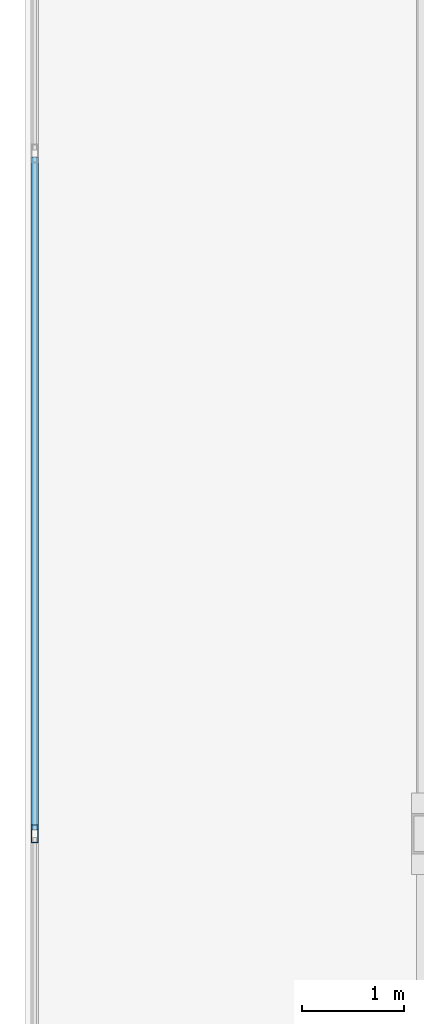
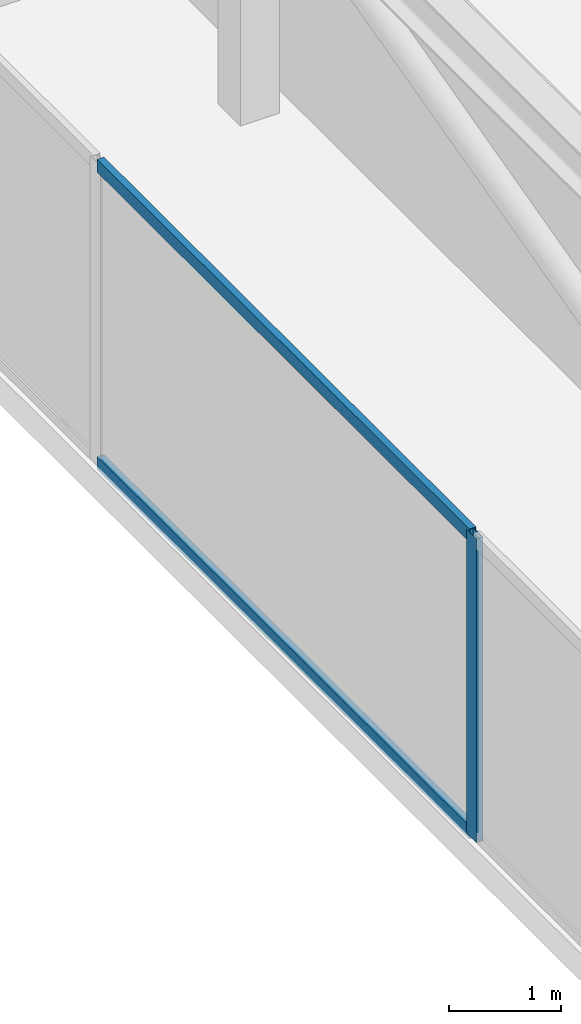
# One storey, part 7 of 16: 3 members, 1 element without a shape of its own.
"""IFC4 building model written with IfcOpenShell, lengths in metres."""

from ifc_helpers import new_model, si_unit, direction, frame, origin, origin_2d, place, context, subcontext, project, spatial, hollow_rectangle, extrude, source, transform, mapped, material, material_profile, profile_set, type_object, type_shapes, element, aggregate, save


model = new_model("IFC4")

# Units and contexts
model_context = context("Model", 3, precision=1e-05, world=origin(), true_north=direction((0.0, 1.0)))
body_context = subcontext(model_context, "Body", "Model", "MODEL_VIEW")
ifc_project = project(units=[si_unit("LENGTHUNIT", "METRE"), si_unit("AREAUNIT", "SQUARE_METRE"), si_unit("VOLUMEUNIT", "CUBIC_METRE"), si_unit("PLANEANGLEUNIT", "RADIAN"), si_unit("MASSUNIT", "GRAM", prefix="KILO")], contexts=[model_context])

# Site, building, storey
site_placement = place(None, origin())
site = spatial("IfcSite", under=ifc_project, at=site_placement, CompositionType="ELEMENT")
building_placement = place(site_placement, origin())
building = spatial("IfcBuilding", under=site, at=building_placement, Name="Krantzveldt Concourse Tower", CompositionType="ELEMENT")
storey_placement = place(building_placement, frame((0.0, 0.0, 381.85009765625)))
storey = spatial("IfcBuildingStorey", under=building, at=storey_placement, Name="L94", CompositionType="ELEMENT", Elevation=381.85009765625)

# Curtain wall, members
ifc_material = material(Name="Anodised aluminium 6063-T6", Category="aluminium")
curtain_wall_type = type_object("IfcCurtainWallType", Name="CW7", PredefinedType="USERDEFINED", material=ifc_material)
curtain_wall_placement = place(storey_placement, origin())
curtain_wall = element("IfcCurtainWall", 1, at=curtain_wall_placement, inside=storey, type_object=curtain_wall_type, Name="CW-L94-WEST-05", ObjectType="UNITISED CURTAIN WALL", PredefinedType="USERDEFINED")
ifc_material_profile_1 = material_profile(ifc_material, hollow_rectangle(XDim=0.070068359375, YDim=0.139892578125, WallThickness=0.0048828125, at=origin_2d()), Name="Anodised aluminium 6063-T6", Category="aluminium")
ifc_profile_set_1 = profile_set([ifc_material_profile_1], Name="Anodised aluminium 6063-T6 - ALU-TRAN 140x70x5")
member_type_1 = type_object("IfcMemberType", Name="CW-TRN-150", PredefinedType="USERDEFINED", material=ifc_profile_set_1)
shared_shape_1 = source(origin(), body_context, "Body", "SweptSolid", [
    extrude(hollow_rectangle(XDim=0.070068359375, YDim=0.139892578125, WallThickness=0.0048828125, at=origin_2d()), origin(), (0.0, 0.0, 1.0), 6.6298828125),
])
type_shapes(member_type_1, [shared_shape_1])
member_1_placement = place(storey_placement, frame((17.090087890625, 33.364990234375, 0.034912109375), z_axis=(0.0, -1.0, 0.0), x_axis=(1.0, 0.0, 0.0)))
member_1 = element("IfcMember", 2, at=member_1_placement, type_object=member_type_1, Name="CW-CRN transom 2.1", ObjectType="TRANSOM", PredefinedType="USERDEFINED", context=body_context, shape_type="MappedRepresentation", body=[
    mapped(shared_shape_1, transform((0.0, 0.0, 0.0), x_axis=(1.0, 0.0, 0.0), y_axis=(0.0, 1.0, 0.0), z_axis=(0.0, 0.0, 1.0), scale=1.0)),
])
member_2_placement = place(storey_placement, frame((17.090087890625, 33.364990234375, 3.264892578125), z_axis=(0.0, -1.0, 0.0), x_axis=(1.0, 0.0, 0.0)))
member_2 = element("IfcMember", 3, at=member_2_placement, type_object=member_type_1, Name="CW-CRN transom 2.2", ObjectType="TRANSOM", PredefinedType="USERDEFINED", context=body_context, shape_type="MappedRepresentation", body=[
    mapped(shared_shape_1, transform((0.0, 0.0, 0.0), x_axis=(1.0, 0.0, 0.0), y_axis=(0.0, 1.0, 0.0), z_axis=(0.0, 0.0, 1.0), scale=1.0)),
])
ifc_material_profile_2 = material_profile(ifc_material, hollow_rectangle(XDim=0.070068359375, YDim=0.179931640625, WallThickness=0.0048828125, at=origin_2d()), Name="Anodised aluminium 6063-T6", Category="aluminium")
ifc_profile_set_2 = profile_set([ifc_material_profile_2], Name="Anodised aluminium 6063-T6 - ALU-MULL 180x70x5")
member_type_2 = type_object("IfcMemberType", Name="CW-MUL-180", PredefinedType="MULLION", material=ifc_profile_set_2)
shared_shape_2 = source(origin(), body_context, "Body", "SweptSolid", [
    extrude(hollow_rectangle(XDim=0.070068359375, YDim=0.179931640625, WallThickness=0.0048828125, at=origin_2d()), origin(), (0.0, 0.0, 1.0), 3.2998046875),
])
type_shapes(member_type_2, [shared_shape_2])
member_3_placement = place(storey_placement, frame((17.090087890625, 26.699951171875, 0.0), z_axis=(0.0, 0.0, 1.0), x_axis=(1.0, 0.0, 0.0)))
member_3 = element("IfcMember", 4, at=member_3_placement, type_object=member_type_2, Name="CW-CRN mullion 3", PredefinedType="MULLION", context=body_context, shape_type="MappedRepresentation", body=[
    mapped(shared_shape_2, transform((0.0, 0.0, 0.0), x_axis=(1.0, 0.0, 0.0), y_axis=(0.0, 1.0, 0.0), z_axis=(0.0, 0.0, 1.0), scale=1.0)),
])
aggregate(curtain_wall, [member_3, member_1, member_2])

save(model, "model.ifc")
